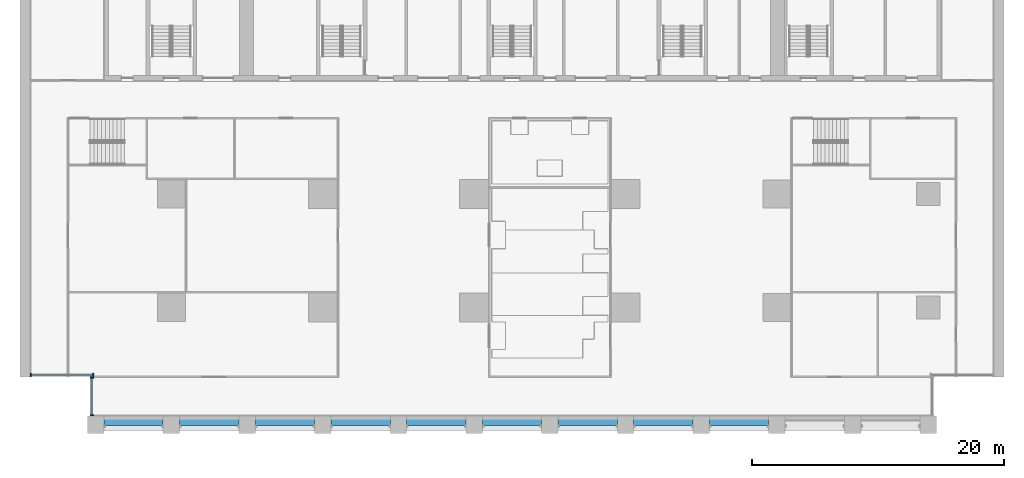
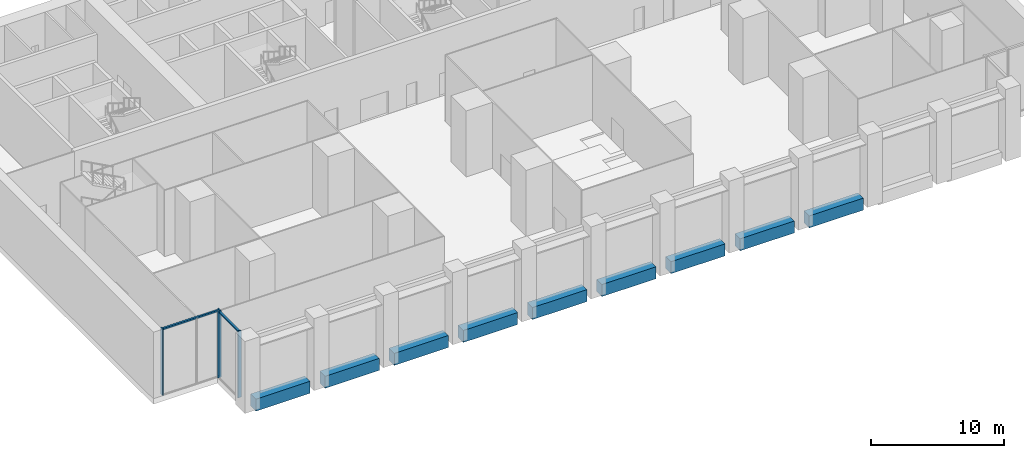
# One storey, part 2 of 18: 9 beams, 6 members, 2 elements without a shape of their own.
"""IFC4 building model written with IfcOpenShell, lengths in metres."""

from ifc_helpers import new_model, si_unit, direction, frame, origin, origin_2d, place, context, subcontext, project, spatial, rectangle, extrude, material, material_profile, profile_set, type_object, element, aggregate, save


model = new_model("IFC4")

# Units and contexts
model_context = context("Model", 3, precision=1e-05, world=origin(), true_north=direction((0.0, 1.0)))
body_context = subcontext(model_context, "Body", "Model", "MODEL_VIEW")
ifc_project = project(units=[si_unit("LENGTHUNIT", "METRE"), si_unit("AREAUNIT", "SQUARE_METRE"), si_unit("VOLUMEUNIT", "CUBIC_METRE"), si_unit("PLANEANGLEUNIT", "RADIAN"), si_unit("MASSUNIT", "GRAM", prefix="KILO")], contexts=[model_context])

# Site, building, storey
site_placement = place(None, origin())
site = spatial("IfcSite", under=ifc_project, at=site_placement, CompositionType="ELEMENT")
building_placement = place(site_placement, origin())
building = spatial("IfcBuilding", under=site, at=building_placement, Name="Calvaro Tower", CompositionType="ELEMENT")
storey_placement = place(building_placement, frame((0.0, 0.0, 11.300048828125)))
storey = spatial("IfcBuildingStorey", under=building, at=storey_placement, Name="L02", CompositionType="ELEMENT", Elevation=11.300048828125)

# Curtain wall, members
ifc_material_1 = material(Name="Anodised aluminium", Category="aluminium")
curtain_wall_type = type_object("IfcCurtainWallType", Name="Foyer curtain wall", PredefinedType="NOTDEFINED", material=ifc_material_1)
curtain_wall_1_placement = place(storey_placement, origin())
curtain_wall_1 = element("IfcCurtainWall", 1, at=curtain_wall_1_placement, inside=storey, type_object=curtain_wall_type, Name="CW6 corner curtain wall", PredefinedType="NOTDEFINED")
ifc_material_2 = material(Name="Anodised aluminium", Category="aluminium")
ifc_material_profile_1 = material_profile(ifc_material_2, rectangle(XDim=0.300048828125, YDim=0.10009765625, at=origin_2d()), Name="Mullion PF 100 x 300")
ifc_profile_set_1 = profile_set([ifc_material_profile_1], Name="Anodised aluminium")
member_type_1 = type_object("IfcMemberType", Name="Mullion PF 100 x 300", PredefinedType="MULLION", material=ifc_profile_set_1)
member_1_placement = place(storey_placement, frame((5.699951171875, 1.449951171875, 0.0), z_axis=(0.0, 0.0, 1.0), x_axis=(-1.0, 0.0, 0.0)))
member_1 = element("IfcMember", 2, at=member_1_placement, type_object=member_type_1, Name="CW6 mullion 1", PredefinedType="MULLION", context=body_context, shape_type="SweptSolid", body=[
    extrude(rectangle(XDim=0.300048828125, YDim=0.10009765625, at=origin_2d()), origin(), (0.0, 0.0, 1.0), 6.099853515625),
])
member_2_placement = place(storey_placement, frame((5.699951171875, 4.449951171875, 0.0), z_axis=(0.0, 0.0, 1.0), x_axis=(-1.0, 0.0, 0.0)))
member_2 = element("IfcMember", 3, at=member_2_placement, type_object=member_type_1, Name="CW6 mullion 2", PredefinedType="MULLION", context=body_context, shape_type="SweptSolid", body=[
    extrude(rectangle(XDim=0.300048828125, YDim=0.10009765625, at=origin_2d()), origin(), (0.0, 0.0, 1.0), 6.099853515625),
])

curtain_wall_2_placement = place(storey_placement, origin())
curtain_wall_2 = element("IfcCurtainWall", 4, at=curtain_wall_2_placement, inside=storey, type_object=curtain_wall_type, Name="CW6 corner curtain wall", PredefinedType="NOTDEFINED")
member_3_placement = place(storey_placement, frame((0.85009765625, 4.64990234375, 0.0), z_axis=(0.0, 0.0, 1.0), x_axis=(0.0, 1.0, 0.0)))
member_3 = element("IfcMember", 5, at=member_3_placement, type_object=member_type_1, Name="CW6 mullion 1", PredefinedType="MULLION", context=body_context, shape_type="SweptSolid", body=[
    extrude(rectangle(XDim=0.300048828125, YDim=0.10009765625, at=origin_2d()), origin(), (0.0, 0.0, 1.0), 6.099853515625),
])
member_4_placement = place(storey_placement, frame((5.800048828125, 4.64990234375, 0.0), z_axis=(0.0, 0.0, 1.0), x_axis=(0.0, 1.0, 0.0)))
member_4 = element("IfcMember", 6, at=member_4_placement, type_object=member_type_1, Name="CW6 mullion 2", PredefinedType="MULLION", context=body_context, shape_type="SweptSolid", body=[
    extrude(rectangle(XDim=0.300048828125, YDim=0.10009765625, at=origin_2d()), origin(), (0.0, 0.0, 1.0), 6.099853515625),
])

# Beams
ifc_material_3 = material(Name="Concrete C50/60 precast", Category="concrete")
ifc_material_profile_2 = material_profile(ifc_material_3, rectangle(XDim=0.800048828125, YDim=1.10009765625, at=origin_2d()), Name="RC 800x1100")
ifc_profile_set_2 = profile_set([ifc_material_profile_2], Name="Concrete C50/60 precast")
beam_type = type_object("IfcBeamType", Name="Spandrel beam 800x1100 C50/60", PredefinedType="SPANDREL", material=ifc_profile_set_2)
for number, where, z_axis, x_axis, name in (
    (7, (6.64990234375, 1.0, -0.550048828125), (1.0, 0.0, 0.0), (0.0, 1.0, 0.0), "Spandrel beam"),
    (8, (12.64990234375, 1.0, -0.550048828125), (1.0, 0.0, 0.0), (0.0, 1.0, 0.0), "Spandrel beam"),
    (9, (18.64990234375, 1.0, -0.550048828125), (1.0, 0.0, 0.0), (0.0, 1.0, 0.0), "Spandrel beam"),
    (10, (24.64990234375, 1.0, -0.550048828125), (1.0, 0.0, 0.0), (0.0, 1.0, 0.0), "Spandrel beam"),
    (11, (30.64990234375, 1.0, -0.550048828125), (1.0, 0.0, 0.0), (0.0, 1.0, 0.0), "Spandrel beam"),
    (12, (36.64990234375, 1.0, -0.550048828125), (1.0, 0.0, 0.0), (0.0, 1.0, 0.0), "Spandrel beam"),
    (13, (42.64990234375, 1.0, -0.550048828125), (1.0, 0.0, 0.0), (0.0, 1.0, 0.0), "Spandrel beam"),
    (14, (48.64990234375, 1.0, -0.550048828125), (1.0, 0.0, 0.0), (0.0, 1.0, 0.0), "Spandrel beam"),
    (15, (54.64990234375, 1.0, -0.550048828125), (1.0, 0.0, 0.0), (0.0, 1.0, 0.0), "Spandrel beam"),
):
    element("IfcBeam", number, at=place(storey_placement, frame(where, z_axis=z_axis, x_axis=x_axis)), inside=storey, type_object=beam_type, Name=name, PredefinedType="SPANDREL", context=body_context, shape_type="SweptSolid", body=[
        extrude(rectangle(XDim=0.800048828125, YDim=1.10009765625, at=origin_2d()), origin(), (0.0, 0.0, 1.0), 4.7001953125),
    ])

# Member
ifc_material_4 = material(Name="Anodised aluminium", Category="aluminium")
ifc_material_profile_3 = material_profile(ifc_material_4, rectangle(XDim=0.159912109375, YDim=0.139892578125, at=origin_2d()), Name="Transom PF 140 x 160")
ifc_profile_set_3 = profile_set([ifc_material_profile_3], Name="Anodised aluminium")
member_type_2 = type_object("IfcMemberType", Name="Transom PF 140 x 160", PredefinedType="USERDEFINED", material=ifc_profile_set_3)
member_5_placement = place(storey_placement, frame((5.699951171875, 1.5, 6.030029296875), z_axis=(0.0, 1.0, 0.0), x_axis=(-1.0, 0.0, 0.0)))
member_5 = element("IfcMember", 16, at=member_5_placement, type_object=member_type_2, Name="CW6 transom 1.1", ObjectType="TRANSOM", PredefinedType="USERDEFINED", context=body_context, shape_type="SweptSolid", body=[
    extrude(rectangle(XDim=0.159912109375, YDim=0.139892578125, at=origin_2d()), origin(), (0.0, 0.0, 1.0), 2.89990234375),
])

aggregate(curtain_wall_1, [member_1, member_2, member_5])

member_6_placement = place(storey_placement, frame((0.89990234375, 4.64990234375, 6.030029296875), z_axis=(1.0, 0.0, 0.0), x_axis=(0.0, 1.0, 0.0)))
member_6 = element("IfcMember", 17, at=member_6_placement, type_object=member_type_2, Name="CW6 transom 1.1", ObjectType="TRANSOM", PredefinedType="USERDEFINED", context=body_context, shape_type="SweptSolid", body=[
    extrude(rectangle(XDim=0.159912109375, YDim=0.139892578125, at=origin_2d()), origin(), (0.0, 0.0, 1.0), 4.85009765625),
])

aggregate(curtain_wall_2, [member_3, member_4, member_6])

save(model, "model.ifc")
